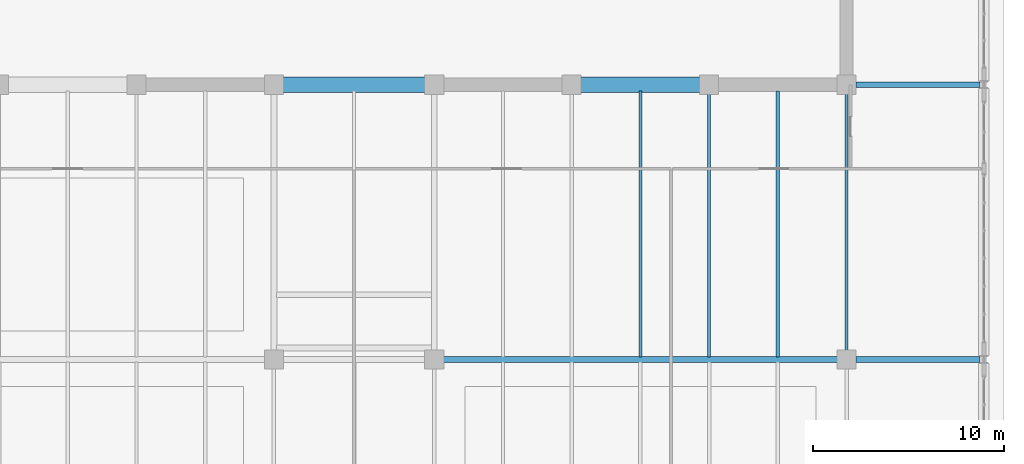
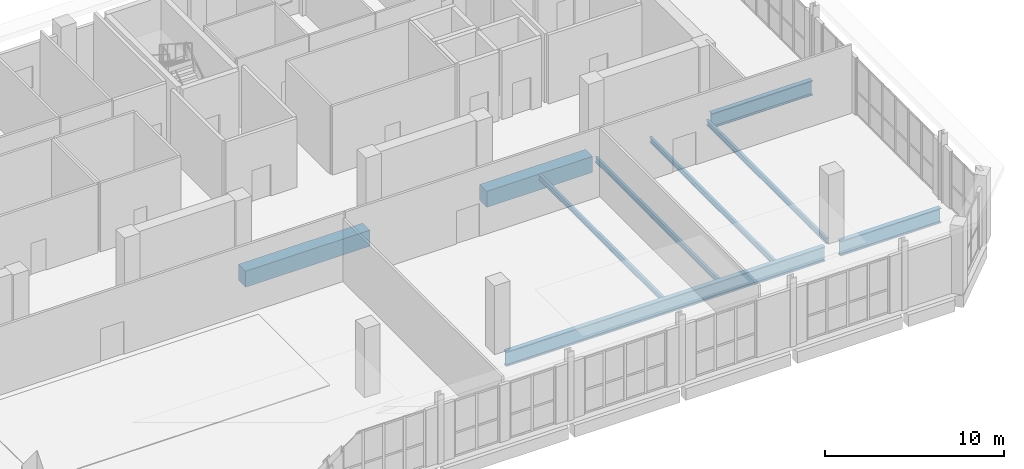
# One storey, part 19 of 36: 9 beams.
"""IFC4 building model written with IfcOpenShell, lengths in metres."""

from ifc_helpers import new_model, si_unit, direction, frame, origin, origin_2d, place, context, subcontext, project, spatial, rectangle, i_section, extrude, material, material_profile, profile_set, type_object, element, save


model = new_model("IFC4")

# Units and contexts
model_context = context("Model", 3, precision=1e-05, world=origin(), true_north=direction((0.0, 1.0)))
body_context = subcontext(model_context, "Body", "Model", "MODEL_VIEW")
ifc_project = project(units=[si_unit("LENGTHUNIT", "METRE"), si_unit("AREAUNIT", "SQUARE_METRE"), si_unit("VOLUMEUNIT", "CUBIC_METRE"), si_unit("PLANEANGLEUNIT", "RADIAN"), si_unit("MASSUNIT", "GRAM", prefix="KILO")], contexts=[model_context])

# Site, building, storey
site_placement = place(None, origin())
site = spatial("IfcSite", under=ifc_project, at=site_placement, CompositionType="ELEMENT")
building_placement = place(site_placement, origin())
building = spatial("IfcBuilding", under=site, at=building_placement, Name="Kaelvorn Grand Hotel", CompositionType="ELEMENT")
storey_placement = place(building_placement, frame((0.0, 0.0, 305.699951171875)))
storey = spatial("IfcBuildingStorey", under=building, at=storey_placement, Name="L74", CompositionType="ELEMENT", Elevation=305.699951171875)

# Beams
ifc_material_1 = material(Name="Steel S460", Category="steel")
ifc_material_profile_1 = material_profile(ifc_material_1, i_section(OverallWidth=0.302001953125, OverallDepth=1.008056640625, WebThickness=0.02099609375, FlangeThickness=0.0400390625, FilletRadius=0.024169921875, at=origin_2d()), Name="UB 1016x305x349")
ifc_profile_set_1 = profile_set([ifc_material_profile_1], Name="Steel S460")
beam_type_1 = type_object("IfcBeamType", Name="BM-G-UB1016-S460", PredefinedType="BEAM", material=ifc_profile_set_1)
beam_1_placement = place(storey_placement, frame((46.68505859375, 15.0, -0.884033203125), z_axis=(1.0, 0.0, 0.0), x_axis=(0.0, 1.0, 0.0)))
element("IfcBeam", 1, at=beam_1_placement, inside=storey, type_object=beam_type_1, Name="L74 Primary Spine Steel Girder G-15 04", PredefinedType="BEAM", context=body_context, shape_type="SweptSolid", body=[
    extrude(i_section(OverallWidth=0.302001953125, OverallDepth=1.008056640625, WebThickness=0.02099609375, FlangeThickness=0.0400390625, FilletRadius=0.024169921875, at=origin_2d()), origin(), (0.0, 0.0, 1.0), 20.6298828125),
])
for number, where, z_axis, x_axis, name in (
    (2, (68.284912109375, 15.0, -0.884033203125), (1.0, 0.0, 0.0), (0.0, 1.0, 0.0), "L74 Primary Spine Steel Girder G-15 05"),
    (3, (68.284912109375, 29.39990234375, -0.884033203125), (1.0, 0.0, 0.0), (0.0, 1.0, 0.0), "L74 East Core Wing Steel Girder G-29E 01"),
):
    element("IfcBeam", number, at=place(storey_placement, frame(where, z_axis=z_axis, x_axis=x_axis)), inside=storey, type_object=beam_type_1, Name=name, PredefinedType="BEAM", context=body_context, shape_type="SweptSolid", body=[
        extrude(i_section(OverallWidth=0.302001953125, OverallDepth=1.008056640625, WebThickness=0.02099609375, FlangeThickness=0.0400390625, FilletRadius=0.024169921875, at=origin_2d()), origin(), (0.0, 0.0, 1.0), 6.52001953125),
    ])
ifc_material_2 = material(Name="Steel S355", Category="steel")
ifc_material_profile_2 = material_profile(ifc_material_2, i_section(OverallWidth=0.169921875, OverallDepth=0.360107421875, WebThickness=0.008056640625, FlangeThickness=0.0126953125, FilletRadius=0.01806640625, at=origin_2d()), Name="IPE 360")
ifc_profile_set_2 = profile_set([ifc_material_profile_2], Name="Steel S355")
beam_type_2 = type_object("IfcBeamType", Name="BM-J-IPE360-S355", PredefinedType="JOIST", material=ifc_profile_set_2)
beam_2_placement = place(storey_placement, frame((57.0, 15.135986328125, -0.56005859375), z_axis=(0.0, 1.0, 0.0), x_axis=(-1.0, 0.0, 0.0)))
element("IfcBeam", 4, at=beam_2_placement, inside=storey, type_object=beam_type_2, Name="L74 Composite Floor Joist JM-16", PredefinedType="JOIST", context=body_context, shape_type="SweptSolid", body=[
    extrude(i_section(OverallWidth=0.169921875, OverallDepth=0.360107421875, WebThickness=0.008056640625, FlangeThickness=0.0126953125, FilletRadius=0.01806640625, at=origin_2d()), origin(), (0.0, 0.0, 1.0), 13.924072265625),
])
beam_3_placement = place(storey_placement, frame((60.60009765625, 15.135986328125, -0.56005859375), z_axis=(0.0, 1.0, 0.0), x_axis=(-1.0, 0.0, 0.0)))
element("IfcBeam", 5, at=beam_3_placement, inside=storey, type_object=beam_type_2, Name="L74 Composite Floor Joist JM-17", PredefinedType="JOIST", context=body_context, shape_type="SweptSolid", body=[
    extrude(i_section(OverallWidth=0.169921875, OverallDepth=0.360107421875, WebThickness=0.008056640625, FlangeThickness=0.0126953125, FilletRadius=0.01806640625, at=origin_2d()), origin(), (0.0, 0.0, 1.0), 13.779052734375),
])
beam_4_placement = place(storey_placement, frame((64.199951171875, 15.135986328125, -0.56005859375), z_axis=(0.0, 1.0, 0.0), x_axis=(-1.0, 0.0, 0.0)))
element("IfcBeam", 6, at=beam_4_placement, inside=storey, type_object=beam_type_2, Name="L74 Composite Floor Joist JM-18", PredefinedType="JOIST", context=body_context, shape_type="SweptSolid", body=[
    extrude(i_section(OverallWidth=0.169921875, OverallDepth=0.360107421875, WebThickness=0.008056640625, FlangeThickness=0.0126953125, FilletRadius=0.01806640625, at=origin_2d()), origin(), (0.0, 0.0, 1.0), 13.924072265625),
])
beam_5_placement = place(storey_placement, frame((67.800048828125, 15.485107421875, -0.56005859375), z_axis=(0.0, 1.0, 0.0), x_axis=(-1.0, 0.0, 0.0)))
element("IfcBeam", 7, at=beam_5_placement, inside=storey, type_object=beam_type_2, Name="L74 Composite Floor Joist JM-19", PredefinedType="JOIST", context=body_context, shape_type="SweptSolid", body=[
    extrude(i_section(OverallWidth=0.169921875, OverallDepth=0.360107421875, WebThickness=0.008056640625, FlangeThickness=0.0126953125, FilletRadius=0.01806640625, at=origin_2d()), origin(), (0.0, 0.0, 1.0), 13.429931640625),
])
ifc_material_3 = material(Name="Concrete C60/75", Category="concrete")
ifc_material_profile_3 = material_profile(ifc_material_3, rectangle(XDim=0.800048828125, YDim=1.10009765625, at=origin_2d()), Name="RC LINTEL 800x1100")
ifc_profile_set_3 = profile_set([ifc_material_profile_3], Name="Concrete C60/75")
beam_type_3 = type_object("IfcBeamType", Name="BM-LIN-800x1100-C60", PredefinedType="LINTEL", material=ifc_profile_set_3)
beam_6_placement = place(storey_placement, frame((37.97998046875, 29.39990234375, -0.929931640625), z_axis=(1.0, 0.0, 0.0), x_axis=(0.0, 1.0, 0.0)))
element("IfcBeam", 8, at=beam_6_placement, inside=storey, type_object=beam_type_3, Name="L74 Rear-Core Coupling Lintel Beam CB1-02", PredefinedType="LINTEL", context=body_context, shape_type="SweptSolid", body=[
    extrude(rectangle(XDim=0.800048828125, YDim=1.10009765625, at=origin_2d()), origin(), (0.0, 0.0, 1.0), 8.0400390625),
])
beam_7_placement = place(storey_placement, frame((53.580078125, 29.39990234375, -0.929931640625), z_axis=(1.0, 0.0, 0.0), x_axis=(0.0, 1.0, 0.0)))
element("IfcBeam", 9, at=beam_7_placement, inside=storey, type_object=beam_type_3, Name="L74 Rear-Core Coupling Lintel Beam CB1-03", PredefinedType="LINTEL", context=body_context, shape_type="SweptSolid", body=[
    extrude(rectangle(XDim=0.800048828125, YDim=1.10009765625, at=origin_2d()), origin(), (0.0, 0.0, 1.0), 6.83984375),
])

save(model, "model.ifc")
